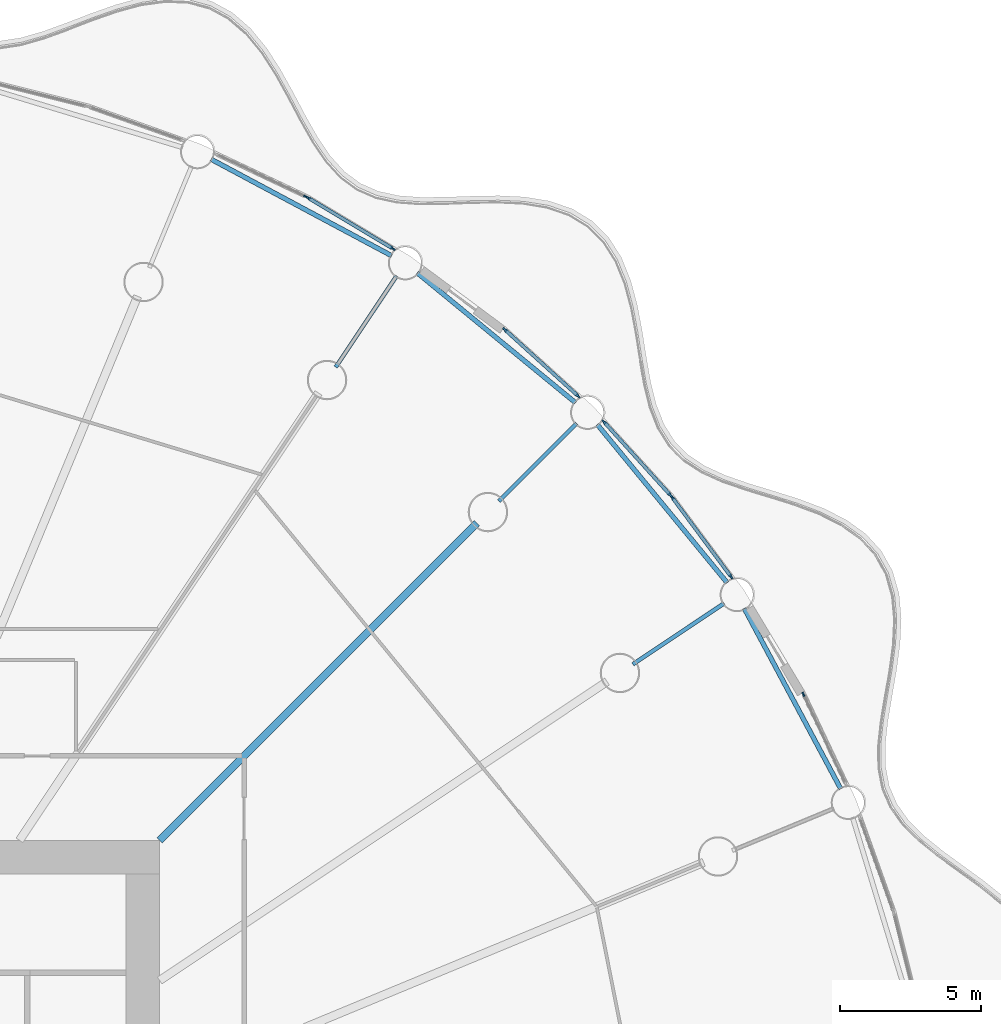
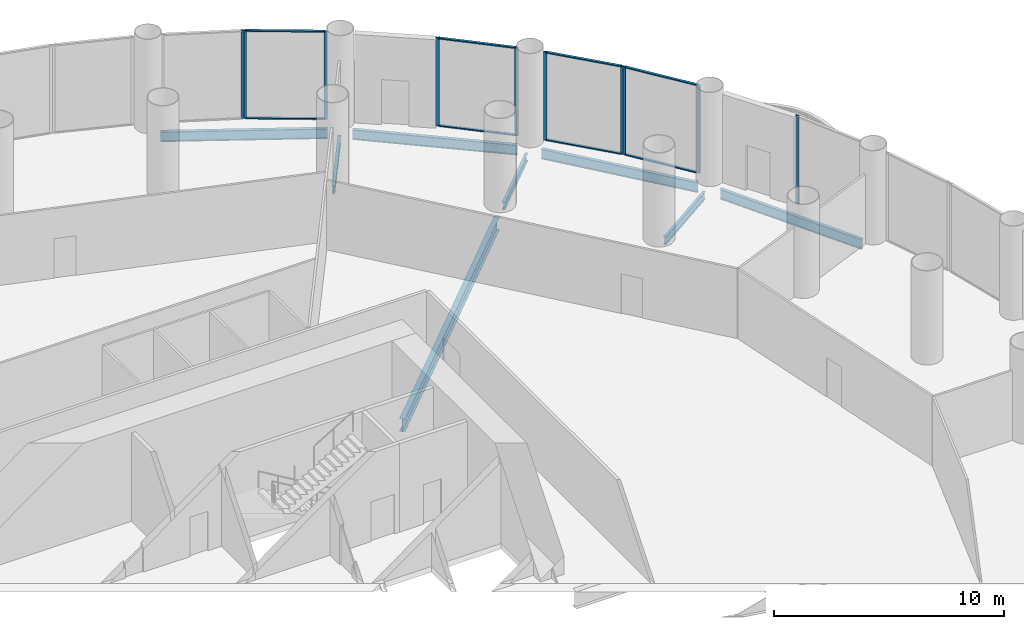
# One storey, part 19 of 36: 18 members, 8 beams, 6 elements without a shape of their own.
"""IFC4 building model written with IfcOpenShell, lengths in metres."""

from ifc_helpers import new_model, si_unit, direction, frame, origin, origin_2d, place, context, subcontext, project, spatial, rectangle, i_section, extrude, material, material_profile, profile_set, type_object, element, aggregate, save


model = new_model("IFC4")

# Units and contexts
model_context = context("Model", 3, precision=1e-05, world=origin(), true_north=direction((0.0, 1.0)))
body_context = subcontext(model_context, "Body", "Model", "MODEL_VIEW")
ifc_project = project(units=[si_unit("LENGTHUNIT", "METRE"), si_unit("AREAUNIT", "SQUARE_METRE"), si_unit("VOLUMEUNIT", "CUBIC_METRE"), si_unit("PLANEANGLEUNIT", "RADIAN"), si_unit("MASSUNIT", "GRAM", prefix="KILO")], contexts=[model_context])

# Site, building, storey
site_placement = place(None, origin())
site = spatial("IfcSite", under=ifc_project, at=site_placement, CompositionType="ELEMENT")
building_placement = place(site_placement, origin())
building = spatial("IfcBuilding", under=site, at=building_placement, Name="Corvane Civic Tower", CompositionType="ELEMENT")
storey_placement = place(building_placement, frame((0.0, 0.0, 17.0)))
storey = spatial("IfcBuildingStorey", under=building, at=storey_placement, Name="L03", CompositionType="ELEMENT", Elevation=17.0)

# Beams
ifc_material_1 = material(Name="Steel ASTM A992 Gr 50", Category="steel")
ifc_material_profile_1 = material_profile(ifc_material_1, i_section(OverallWidth=0.165771484375, OverallDepth=0.5283203125, WebThickness=0.009765625, FlangeThickness=0.013671875, at=origin_2d()), Name="W21X50")
ifc_profile_set_1 = profile_set([ifc_material_profile_1], Name="Steel ASTM A992 Gr 50")
beam_type_1 = type_object("IfcBeamType", Name="EDGE BEAM W21X50", PredefinedType="BEAM", material=ifc_profile_set_1)
for number, where, z_axis, x_axis, name in (
    (1, (16.82568359375, 39.1904296875, -0.564208984375), (0.881912894916, -0.471412394598, 0.0), (0.471412394598, 0.881912894916, 0.0), "BM-L03-E03"),
    (2, (24.14794921875, 35.15478515625, -0.564208984375), (0.773007924807, -0.634396365205, 0.0), (0.634396365205, 0.773007924807, 0.0), "BM-L03-E04"),
    (3, (30.542236328125, 29.768310546875, -0.564208984375), (0.634396365205, -0.773007924807, 0.0), (0.773007924807, 0.634396365205, 0.0), "BM-L03-E05"),
    (4, (35.762939453125, 23.23779296875, -0.564208984375), (0.471412394598, -0.881912894916, 0.0), (0.881912894916, 0.471412394598, 0.0), "BM-L03-E06"),
):
    element("IfcBeam", number, at=place(storey_placement, frame(where, z_axis=z_axis, x_axis=x_axis)), inside=storey, type_object=beam_type_1, Name=name, PredefinedType="BEAM", context=body_context, shape_type="SweptSolid", body=[
        extrude(i_section(OverallWidth=0.165771484375, OverallDepth=0.5283203125, WebThickness=0.009765625, FlangeThickness=0.013671875, at=origin_2d()), origin(), (0.0, 0.0, 1.0), 7.270751953125),
    ])
ifc_material_2 = material(Name="Steel ASTM A992 Gr 50", Category="steel")
ifc_material_profile_2 = material_profile(ifc_material_2, i_section(OverallWidth=0.140380859375, OverallDepth=0.40380859375, WebThickness=0.007080078125, FlangeThickness=0.01123046875, at=origin_2d()), Name="W16X31")
ifc_profile_set_2 = profile_set([ifc_material_profile_2], Name="Steel ASTM A992 Gr 50")
beam_type_2 = type_object("IfcBeamType", Name="FLOOR GIRDER W16X31", PredefinedType="BEAM", material=ifc_profile_set_2)
for number, where, z_axis, x_axis, name in (
    (5, (21.25048828125, 31.8037109375, -0.501953125), (0.555581110199, 0.831462344301, 0.0), (-0.831462344301, 0.555581110199, 0.0), "BM-L03-G04b"),
    (6, (27.046875, 27.046875, -0.501953125), (0.707106781187, 0.707106781187, 0.0), (-0.707106781187, 0.707106781187, 0.0), "BM-L03-G05b"),
    (7, (31.8037109375, 21.25048828125, -0.501953125), (0.831462344301, 0.555581110199, 0.0), (-0.555581110199, 0.831462344301, 0.0), "BM-L03-G06b"),
):
    element("IfcBeam", number, at=place(storey_placement, frame(where, z_axis=z_axis, x_axis=x_axis)), inside=storey, type_object=beam_type_2, Name=name, PredefinedType="BEAM", context=body_context, shape_type="SweptSolid", body=[
        extrude(i_section(OverallWidth=0.140380859375, OverallDepth=0.40380859375, WebThickness=0.007080078125, FlangeThickness=0.01123046875, at=origin_2d()), origin(), (0.0, 0.0, 1.0), 3.89990234375),
    ])
ifc_material_3 = material(Name="Steel ASTM A992 Gr 50", Category="steel")
ifc_material_profile_3 = material_profile(ifc_material_3, i_section(OverallWidth=0.25390625, OverallDepth=0.67822265625, WebThickness=0.01171875, FlangeThickness=0.016357421875, at=origin_2d()), Name="W27X84")
ifc_profile_set_3 = profile_set([ifc_material_profile_3], Name="Steel ASTM A992 Gr 50")
beam_type_3 = type_object("IfcBeamType", Name="FLOOR GIRDER W27X84", PredefinedType="BEAM", material=ifc_profile_set_3)
beam_placement = place(storey_placement, frame((15.0, 15.0, -0.63916015625), z_axis=(0.707106781187, 0.707106781187, 0.0), x_axis=(-0.707106781187, 0.707106781187, 0.0)))
element("IfcBeam", 8, at=beam_placement, inside=storey, type_object=beam_type_3, Name="BM-L03-G05", PredefinedType="BEAM", context=body_context, shape_type="SweptSolid", body=[
    extrude(i_section(OverallWidth=0.25390625, OverallDepth=0.67822265625, WebThickness=0.01171875, FlangeThickness=0.016357421875, at=origin_2d()), origin(), (0.0, 0.0, 1.0), 15.936767578125),
])

# Curtain wall, member
ifc_material_4 = material(Name="Aluminium and glass", Category="aluminium")
curtain_wall_type = type_object("IfcCurtainWallType", Name="PODIUM-CW-P-RUN", PredefinedType="NOTDEFINED", material=ifc_material_4)
curtain_wall_1_placement = place(storey_placement, origin())
curtain_wall_1 = element("IfcCurtainWall", 9, at=curtain_wall_1_placement, inside=storey, type_object=curtain_wall_type, Name="PODI run L03-drum-03A", PredefinedType="NOTDEFINED")
ifc_material_5 = material(Name="Anodised aluminium bronze", Category="aluminium")
ifc_material_profile_4 = material_profile(ifc_material_5, rectangle(XDim=0.06005859375, YDim=0.159912109375, at=origin_2d()), Name="AL 60x160")
ifc_profile_set_4 = profile_set([ifc_material_profile_4], Name="Anodised aluminium bronze")
member_type_1 = type_object("IfcMemberType", Name="PODIUM-CWP-MULLION-60x160", PredefinedType="MULLION", material=ifc_profile_set_4)
member_1_placement = place(storey_placement, frame((20.186279296875, 37.862548828125, 0.0), z_axis=(0.0, 0.0, 1.0), x_axis=(0.42755312852, 0.903990222454, 0.0)))
member_1 = element("IfcMember", 10, at=member_1_placement, type_object=member_type_1, Name="CW-P mullion 2", PredefinedType="MULLION", context=body_context, shape_type="SweptSolid", body=[
    extrude(rectangle(XDim=0.06005859375, YDim=0.159912109375, at=origin_2d()), origin(), (0.0, 0.0, 1.0), 4.699951171875),
])
aggregate(curtain_wall_1, [member_1])

# Curtain wall, members
curtain_wall_2_placement = place(storey_placement, origin())
curtain_wall_2 = element("IfcCurtainWall", 11, at=curtain_wall_2_placement, inside=storey, type_object=curtain_wall_type, Name="PODI run L03-drum-03B", PredefinedType="NOTDEFINED")
member_2_placement = place(storey_placement, frame((20.2666015625, 37.819580078125, 0.0), z_axis=(0.0, 0.0, 1.0), x_axis=(0.514117759857, 0.857719609779, 0.0)))
member_2 = element("IfcMember", 12, at=member_2_placement, type_object=member_type_1, Name="CW-P mullion 1", PredefinedType="MULLION", context=body_context, shape_type="SweptSolid", body=[
    extrude(rectangle(XDim=0.06005859375, YDim=0.159912109375, at=origin_2d()), origin(), (0.0, 0.0, 1.0), 4.699951171875),
])
member_3_placement = place(storey_placement, frame((23.28564453125, 36.010009765625, 0.0), z_axis=(0.0, 0.0, 1.0), x_axis=(0.514117759857, 0.857719609779, 0.0)))
member_3 = element("IfcMember", 13, at=member_3_placement, type_object=member_type_1, Name="CW-P mullion 2", PredefinedType="MULLION", context=body_context, shape_type="SweptSolid", body=[
    extrude(rectangle(XDim=0.06005859375, YDim=0.159912109375, at=origin_2d()), origin(), (0.0, 0.0, 1.0), 4.699951171875),
])

curtain_wall_3_placement = place(storey_placement, origin())
curtain_wall_3 = element("IfcCurtainWall", 14, at=curtain_wall_3_placement, inside=storey, type_object=curtain_wall_type, Name="PODI run L03-drum-04B", PredefinedType="NOTDEFINED")
member_4_placement = place(storey_placement, frame((27.25537109375, 33.13916015625, 0.0), z_axis=(0.0, 0.0, 1.0), x_axis=(0.671576457952, 0.740935261089, 0.0)))
member_4 = element("IfcMember", 15, at=member_4_placement, type_object=member_type_1, Name="CW-P mullion 1", PredefinedType="MULLION", context=body_context, shape_type="SweptSolid", body=[
    extrude(rectangle(XDim=0.06005859375, YDim=0.159912109375, at=origin_2d()), origin(), (0.0, 0.0, 1.0), 4.699951171875),
])
member_5_placement = place(storey_placement, frame((29.863525390625, 30.775390625, 0.0), z_axis=(0.0, 0.0, 1.0), x_axis=(0.671576457952, 0.740935261089, 0.0)))
member_5 = element("IfcMember", 16, at=member_5_placement, type_object=member_type_1, Name="CW-P mullion 2", PredefinedType="MULLION", context=body_context, shape_type="SweptSolid", body=[
    extrude(rectangle(XDim=0.06005859375, YDim=0.159912109375, at=origin_2d()), origin(), (0.0, 0.0, 1.0), 4.699951171875),
])

curtain_wall_4_placement = place(storey_placement, origin())
curtain_wall_4 = element("IfcCurtainWall", 17, at=curtain_wall_4_placement, inside=storey, type_object=curtain_wall_type, Name="PODI run L03-drum-05A", PredefinedType="NOTDEFINED")
member_6_placement = place(storey_placement, frame((30.775390625, 29.863525390625, 0.0), z_axis=(0.0, 0.0, 1.0), x_axis=(0.740935261089, 0.671576457952, 0.0)))
member_6 = element("IfcMember", 18, at=member_6_placement, type_object=member_type_1, Name="CW-P mullion 1", PredefinedType="MULLION", context=body_context, shape_type="SweptSolid", body=[
    extrude(rectangle(XDim=0.06005859375, YDim=0.159912109375, at=origin_2d()), origin(), (0.0, 0.0, 1.0), 4.699951171875),
])
member_7_placement = place(storey_placement, frame((33.13916015625, 27.25537109375, 0.0), z_axis=(0.0, 0.0, 1.0), x_axis=(0.740935261089, 0.671576457952, 0.0)))
member_7 = element("IfcMember", 19, at=member_7_placement, type_object=member_type_1, Name="CW-P mullion 2", PredefinedType="MULLION", context=body_context, shape_type="SweptSolid", body=[
    extrude(rectangle(XDim=0.06005859375, YDim=0.159912109375, at=origin_2d()), origin(), (0.0, 0.0, 1.0), 4.699951171875),
])

curtain_wall_5_placement = place(storey_placement, origin())
curtain_wall_5 = element("IfcCurtainWall", 20, at=curtain_wall_5_placement, inside=storey, type_object=curtain_wall_type, Name="PODI run L03-drum-05B", PredefinedType="NOTDEFINED")
member_8_placement = place(storey_placement, frame((33.197021484375, 27.18505859375, 0.0), z_axis=(0.0, 0.0, 1.0), x_axis=(0.803203229747, 0.595705104665, 0.0)))
member_8 = element("IfcMember", 21, at=member_8_placement, type_object=member_type_1, Name="CW-P mullion 1", PredefinedType="MULLION", context=body_context, shape_type="SweptSolid", body=[
    extrude(rectangle(XDim=0.06005859375, YDim=0.159912109375, at=origin_2d()), origin(), (0.0, 0.0, 1.0), 4.699951171875),
])
member_9_placement = place(storey_placement, frame((35.293701171875, 24.35791015625, 0.0), z_axis=(0.0, 0.0, 1.0), x_axis=(0.803203229747, 0.595705104665, 0.0)))
member_9 = element("IfcMember", 22, at=member_9_placement, type_object=member_type_1, Name="CW-P mullion 2", PredefinedType="MULLION", context=body_context, shape_type="SweptSolid", body=[
    extrude(rectangle(XDim=0.06005859375, YDim=0.159912109375, at=origin_2d()), origin(), (0.0, 0.0, 1.0), 4.699951171875),
])

# Curtain wall, member
curtain_wall_6_placement = place(storey_placement, origin())
curtain_wall_6 = element("IfcCurtainWall", 23, at=curtain_wall_6_placement, inside=storey, type_object=curtain_wall_type, Name="PODI run L03-drum-06B", PredefinedType="NOTDEFINED")
member_10_placement = place(storey_placement, frame((37.862548828125, 20.186279296875, 0.0), z_axis=(0.0, 0.0, 1.0), x_axis=(0.903990222454, 0.42755312852, 0.0)))
member_10 = element("IfcMember", 24, at=member_10_placement, type_object=member_type_1, Name="CW-P mullion 1", PredefinedType="MULLION", context=body_context, shape_type="SweptSolid", body=[
    extrude(rectangle(XDim=0.06005859375, YDim=0.159912109375, at=origin_2d()), origin(), (0.0, 0.0, 1.0), 4.699951171875),
])
aggregate(curtain_wall_6, [member_10])

# Member
ifc_material_6 = material(Name="Anodised aluminium bronze", Category="aluminium")
ifc_material_profile_5 = material_profile(ifc_material_6, rectangle(XDim=0.1201171875, YDim=0.06005859375, at=origin_2d()), Name="AL 120x60")
ifc_profile_set_5 = profile_set([ifc_material_profile_5], Name="Anodised aluminium bronze")
member_type_2 = type_object("IfcMemberType", Name="PODIUM-CWP-TRANSOM-60x120", PredefinedType="USERDEFINED", material=ifc_profile_set_5)
member_11_placement = place(storey_placement, frame((20.29248046875, 37.80419921875, 0.030029296875), z_axis=(0.857723234181, -0.514111713099, 0.0), x_axis=(0.514111713099, 0.857723234181, 0.0)))
member_11 = element("IfcMember", 25, at=member_11_placement, type_object=member_type_2, Name="CW-P transom 1.1", ObjectType="TRANSOM", PredefinedType="USERDEFINED", context=body_context, shape_type="SweptSolid", body=[
    extrude(rectangle(XDim=0.1201171875, YDim=0.06005859375, at=origin_2d()), origin(), (0.0, 0.0, 1.0), 3.45947265625),
])

member_12_placement = place(storey_placement, frame((20.29248046875, 37.80419921875, 4.669921875), z_axis=(0.857723234181, -0.514111713099, 0.0), x_axis=(0.514111713099, 0.857723234181, 0.0)))
member_12 = element("IfcMember", 26, at=member_12_placement, type_object=member_type_2, Name="CW-P transom 1.2", ObjectType="TRANSOM", PredefinedType="USERDEFINED", context=body_context, shape_type="SweptSolid", body=[
    extrude(rectangle(XDim=0.1201171875, YDim=0.06005859375, at=origin_2d()), origin(), (0.0, 0.0, 1.0), 3.45947265625),
])

aggregate(curtain_wall_2, [member_2, member_3, member_11, member_12])

member_13_placement = place(storey_placement, frame((27.277587890625, 33.119140625, 0.030029296875), z_axis=(0.740935382865, -0.671576323599, 0.0), x_axis=(0.671576323599, 0.740935382865, 0.0)))
member_13 = element("IfcMember", 27, at=member_13_placement, type_object=member_type_2, Name="CW-P transom 1.1", ObjectType="TRANSOM", PredefinedType="USERDEFINED", context=body_context, shape_type="SweptSolid", body=[
    extrude(rectangle(XDim=0.1201171875, YDim=0.06005859375, at=origin_2d()), origin(), (0.0, 0.0, 1.0), 3.460205078125),
])

member_14_placement = place(storey_placement, frame((27.277587890625, 33.119140625, 4.669921875), z_axis=(0.740935382865, -0.671576323599, 0.0), x_axis=(0.671576323599, 0.740935382865, 0.0)))
member_14 = element("IfcMember", 28, at=member_14_placement, type_object=member_type_2, Name="CW-P transom 1.2", ObjectType="TRANSOM", PredefinedType="USERDEFINED", context=body_context, shape_type="SweptSolid", body=[
    extrude(rectangle(XDim=0.1201171875, YDim=0.06005859375, at=origin_2d()), origin(), (0.0, 0.0, 1.0), 3.460205078125),
])

aggregate(curtain_wall_3, [member_4, member_5, member_13, member_14])

member_15_placement = place(storey_placement, frame((30.79541015625, 29.84130859375, 0.030029296875), z_axis=(0.671576323599, -0.740935382865, 0.0), x_axis=(0.740935382865, 0.671576323599, 0.0)))
member_15 = element("IfcMember", 29, at=member_15_placement, type_object=member_type_2, Name="CW-P transom 1.1", ObjectType="TRANSOM", PredefinedType="USERDEFINED", context=body_context, shape_type="SweptSolid", body=[
    extrude(rectangle(XDim=0.1201171875, YDim=0.06005859375, at=origin_2d()), origin(), (0.0, 0.0, 1.0), 3.460205078125),
])

member_16_placement = place(storey_placement, frame((30.79541015625, 29.84130859375, 4.669921875), z_axis=(0.671576323599, -0.740935382865, 0.0), x_axis=(0.740935382865, 0.671576323599, 0.0)))
member_16 = element("IfcMember", 30, at=member_16_placement, type_object=member_type_2, Name="CW-P transom 1.2", ObjectType="TRANSOM", PredefinedType="USERDEFINED", context=body_context, shape_type="SweptSolid", body=[
    extrude(rectangle(XDim=0.1201171875, YDim=0.06005859375, at=origin_2d()), origin(), (0.0, 0.0, 1.0), 3.460205078125),
])

aggregate(curtain_wall_4, [member_6, member_7, member_15, member_16])

member_17_placement = place(storey_placement, frame((33.21484375, 27.160888671875, 0.030029296875), z_axis=(0.595723591285, -0.803189518598, 0.0), x_axis=(0.803189518598, 0.595723591285, 0.0)))
member_17 = element("IfcMember", 31, at=member_17_placement, type_object=member_type_2, Name="CW-P transom 1.1", ObjectType="TRANSOM", PredefinedType="USERDEFINED", context=body_context, shape_type="SweptSolid", body=[
    extrude(rectangle(XDim=0.1201171875, YDim=0.06005859375, at=origin_2d()), origin(), (0.0, 0.0, 1.0), 3.459716796875),
])

member_18_placement = place(storey_placement, frame((33.21484375, 27.160888671875, 4.669921875), z_axis=(0.595723591285, -0.803189518598, 0.0), x_axis=(0.803189518598, 0.595723591285, 0.0)))
member_18 = element("IfcMember", 32, at=member_18_placement, type_object=member_type_2, Name="CW-P transom 1.2", ObjectType="TRANSOM", PredefinedType="USERDEFINED", context=body_context, shape_type="SweptSolid", body=[
    extrude(rectangle(XDim=0.1201171875, YDim=0.06005859375, at=origin_2d()), origin(), (0.0, 0.0, 1.0), 3.459716796875),
])

aggregate(curtain_wall_5, [member_8, member_9, member_17, member_18])

save(model, "model.ifc")
